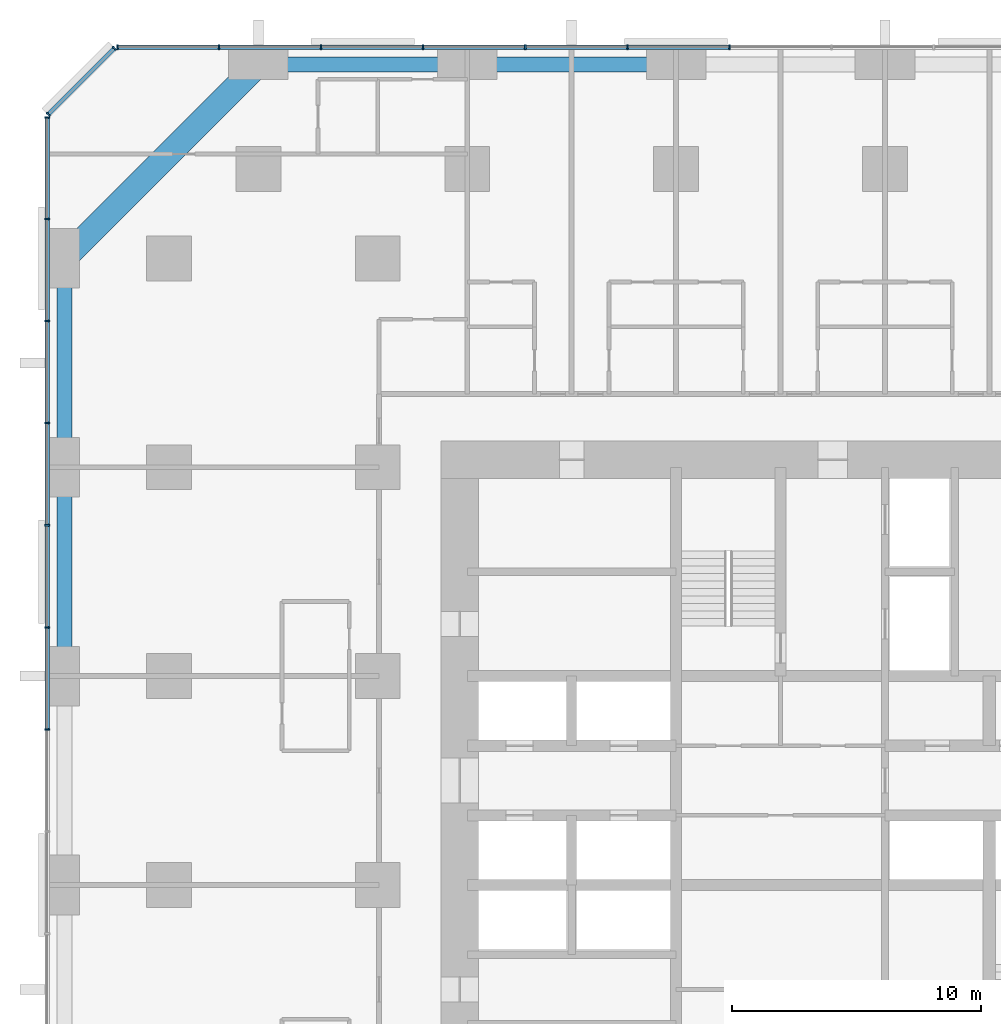
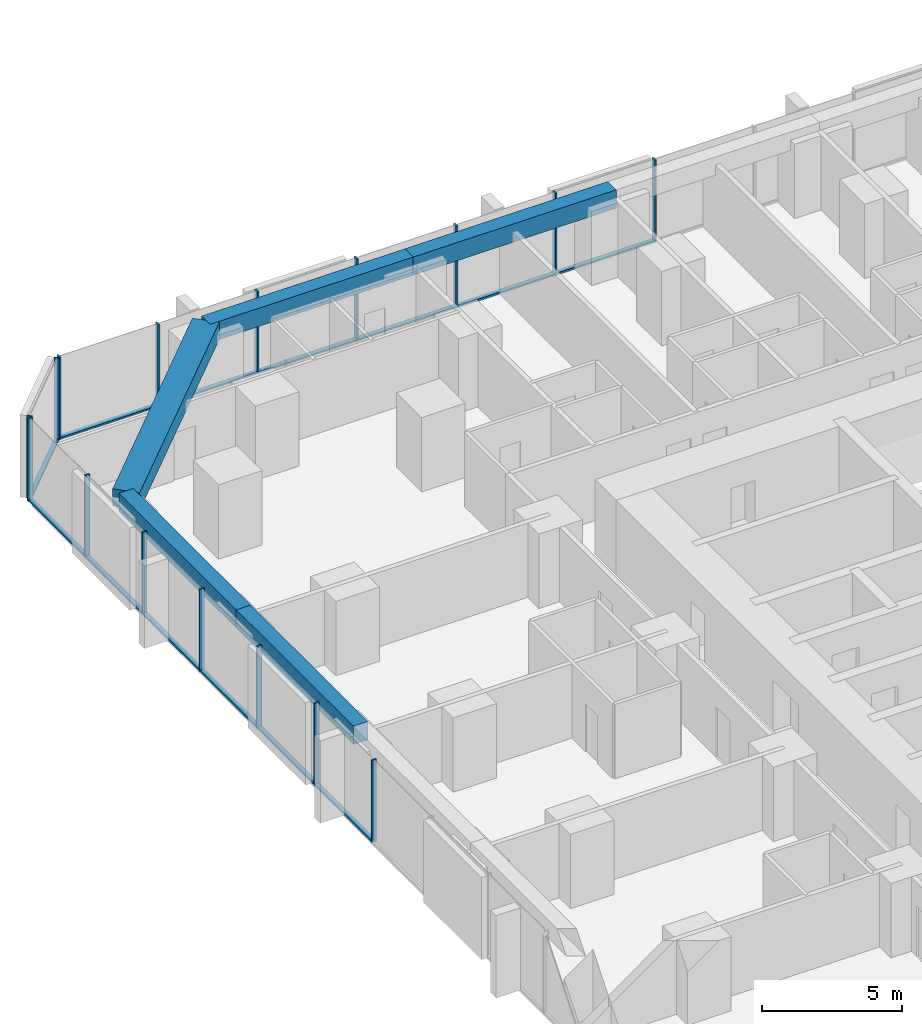
# One storey, part 6 of 17: 29 members, 5 beams, 3 elements without a shape of their own.
"""IFC4 building model written with IfcOpenShell, lengths in metres."""

from ifc_helpers import new_model, si_unit, direction, frame, origin, origin_2d, place, context, subcontext, project, spatial, rectangle, extrude, material, material_profile, profile_set, type_object, element, aggregate, save


model = new_model("IFC4")

# Units and contexts
model_context = context("Model", 3, precision=1e-05, world=origin(), true_north=direction((0.0, 1.0)))
body_context = subcontext(model_context, "Body", "Model", "MODEL_VIEW")
ifc_project = project(units=[si_unit("LENGTHUNIT", "METRE"), si_unit("AREAUNIT", "SQUARE_METRE"), si_unit("VOLUMEUNIT", "CUBIC_METRE"), si_unit("PLANEANGLEUNIT", "RADIAN"), si_unit("MASSUNIT", "GRAM", prefix="KILO")], contexts=[model_context])

# Site, building, storey
site_placement = place(None, origin())
site = spatial("IfcSite", under=ifc_project, at=site_placement, CompositionType="ELEMENT")
building_placement = place(site_placement, origin())
building = spatial("IfcBuilding", under=site, at=building_placement, Name="Dunama Terrace Hotel", CompositionType="ELEMENT")
storey_placement = place(building_placement, frame((0.0, 0.0, 66.60009765625)))
storey = spatial("IfcBuildingStorey", under=building, at=storey_placement, Name="L16", CompositionType="ELEMENT", Elevation=66.60009765625)

# Curtain wall, members
ifc_material_1 = material(Name="Aluminium curtain wall system", Category="aluminium")
curtain_wall_type = type_object("IfcCurtainWallType", Name="Unitised fritted glass wall CW-A", PredefinedType="NOTDEFINED", material=ifc_material_1)
curtain_wall_1_placement = place(storey_placement, origin())
curtain_wall_1 = element("IfcCurtainWall", 1, at=curtain_wall_1_placement, inside=storey, type_object=curtain_wall_type, Name="Unitised fritted glass wall CW-A L16", PredefinedType="NOTDEFINED")
ifc_material_2 = material(Name="Aluminium mullion", Category="aluminium")
ifc_material_profile_1 = material_profile(ifc_material_2, rectangle(XDim=0.06494140625, YDim=0.199951171875, at=origin_2d()), Name="CWA MULLION 65X200")
ifc_profile_set_1 = profile_set([ifc_material_profile_1], Name="Aluminium mullion")
member_type_1 = type_object("IfcMemberType", Name="CWA mullion 65x200", PredefinedType="MULLION", material=ifc_profile_set_1)
member_1_placement = place(storey_placement, frame((27.345947265625, 58.89990234375, 0.0), z_axis=(0.0, 0.0, 1.0), x_axis=(-1.0, 0.0, 0.0)))
member_1 = element("IfcMember", 2, at=member_1_placement, type_object=member_type_1, Name="CWA mullion", PredefinedType="MULLION", context=body_context, shape_type="SweptSolid", body=[
    extrude(rectangle(XDim=0.06494140625, YDim=0.199951171875, at=origin_2d()), origin(), (0.0, 0.0, 1.0), 3.599853515625),
])
member_2_placement = place(storey_placement, frame((23.238037109375, 58.89990234375, 0.0), z_axis=(0.0, 0.0, 1.0), x_axis=(-1.0, 0.0, 0.0)))
member_2 = element("IfcMember", 3, at=member_2_placement, type_object=member_type_1, Name="CWA mullion", PredefinedType="MULLION", context=body_context, shape_type="SweptSolid", body=[
    extrude(rectangle(XDim=0.06494140625, YDim=0.199951171875, at=origin_2d()), origin(), (0.0, 0.0, 1.0), 3.599853515625),
])
member_3_placement = place(storey_placement, frame((19.131103515625, 58.89990234375, 0.0), z_axis=(0.0, 0.0, 1.0), x_axis=(-1.0, 0.0, 0.0)))
member_3 = element("IfcMember", 4, at=member_3_placement, type_object=member_type_1, Name="CWA mullion", PredefinedType="MULLION", context=body_context, shape_type="SweptSolid", body=[
    extrude(rectangle(XDim=0.06494140625, YDim=0.199951171875, at=origin_2d()), origin(), (0.0, 0.0, 1.0), 3.599853515625),
])
member_4_placement = place(storey_placement, frame((15.02294921875, 58.89990234375, 0.0), z_axis=(0.0, 0.0, 1.0), x_axis=(-1.0, 0.0, 0.0)))
member_4 = element("IfcMember", 5, at=member_4_placement, type_object=member_type_1, Name="CWA mullion", PredefinedType="MULLION", context=body_context, shape_type="SweptSolid", body=[
    extrude(rectangle(XDim=0.06494140625, YDim=0.199951171875, at=origin_2d()), origin(), (0.0, 0.0, 1.0), 3.599853515625),
])
member_5_placement = place(storey_placement, frame((10.9150390625, 58.89990234375, 0.0), z_axis=(0.0, 0.0, 1.0), x_axis=(-1.0, 0.0, 0.0)))
member_5 = element("IfcMember", 6, at=member_5_placement, type_object=member_type_1, Name="CWA mullion", PredefinedType="MULLION", context=body_context, shape_type="SweptSolid", body=[
    extrude(rectangle(XDim=0.06494140625, YDim=0.199951171875, at=origin_2d()), origin(), (0.0, 0.0, 1.0), 3.599853515625),
])
member_6_placement = place(storey_placement, frame((6.80810546875, 58.89990234375, 0.0), z_axis=(0.0, 0.0, 1.0), x_axis=(-1.0, 0.0, 0.0)))
member_6 = element("IfcMember", 7, at=member_6_placement, type_object=member_type_1, Name="CWA mullion", PredefinedType="MULLION", context=body_context, shape_type="SweptSolid", body=[
    extrude(rectangle(XDim=0.06494140625, YDim=0.199951171875, at=origin_2d()), origin(), (0.0, 0.0, 1.0), 3.599853515625),
])
member_7_placement = place(storey_placement, frame((2.73291015625, 58.89990234375, 0.0), z_axis=(0.0, 0.0, 1.0), x_axis=(-1.0, 0.0, 0.0)))
member_7 = element("IfcMember", 8, at=member_7_placement, type_object=member_type_1, Name="CWA mullion", PredefinedType="MULLION", context=body_context, shape_type="SweptSolid", body=[
    extrude(rectangle(XDim=0.06494140625, YDim=0.199951171875, at=origin_2d()), origin(), (0.0, 0.0, 1.0), 3.599853515625),
])

curtain_wall_2_placement = place(storey_placement, origin())
curtain_wall_2 = element("IfcCurtainWall", 9, at=curtain_wall_2_placement, inside=storey, type_object=curtain_wall_type, Name="Unitised fritted glass wall CW-A L16", PredefinedType="NOTDEFINED")
member_8_placement = place(storey_placement, frame((2.60595703125, 58.847900390625, 0.0), z_axis=(0.0, 0.0, 1.0), x_axis=(-0.707106781187, -0.707106781187, 0.0)))
member_8 = element("IfcMember", 10, at=member_8_placement, type_object=member_type_1, Name="CWA mullion", PredefinedType="MULLION", context=body_context, shape_type="SweptSolid", body=[
    extrude(rectangle(XDim=0.06494140625, YDim=0.199951171875, at=origin_2d()), origin(), (0.0, 0.0, 1.0), 3.599853515625),
])
member_9_placement = place(storey_placement, frame((-0.048095703125, 56.194091796875, 0.0), z_axis=(0.0, 0.0, 1.0), x_axis=(-0.707106781187, -0.707106781187, 0.0)))
member_9 = element("IfcMember", 11, at=member_9_placement, type_object=member_type_1, Name="CWA mullion", PredefinedType="MULLION", context=body_context, shape_type="SweptSolid", body=[
    extrude(rectangle(XDim=0.06494140625, YDim=0.199951171875, at=origin_2d()), origin(), (0.0, 0.0, 1.0), 3.599853515625),
])

curtain_wall_3_placement = place(storey_placement, origin())
curtain_wall_3 = element("IfcCurtainWall", 12, at=curtain_wall_3_placement, inside=storey, type_object=curtain_wall_type, Name="Unitised fritted glass wall CW-A L16", PredefinedType="NOTDEFINED")
member_10_placement = place(storey_placement, frame((-0.10009765625, 56.06689453125, 0.0), z_axis=(0.0, 0.0, 1.0), x_axis=(0.0, -1.0, 0.0)))
member_10 = element("IfcMember", 13, at=member_10_placement, type_object=member_type_1, Name="CWA mullion", PredefinedType="MULLION", context=body_context, shape_type="SweptSolid", body=[
    extrude(rectangle(XDim=0.06494140625, YDim=0.199951171875, at=origin_2d()), origin(), (0.0, 0.0, 1.0), 3.599853515625),
])
member_11_placement = place(storey_placement, frame((-0.10009765625, 51.991943359375, 0.0), z_axis=(0.0, 0.0, 1.0), x_axis=(0.0, -1.0, 0.0)))
member_11 = element("IfcMember", 14, at=member_11_placement, type_object=member_type_1, Name="CWA mullion", PredefinedType="MULLION", context=body_context, shape_type="SweptSolid", body=[
    extrude(rectangle(XDim=0.06494140625, YDim=0.199951171875, at=origin_2d()), origin(), (0.0, 0.0, 1.0), 3.599853515625),
])
member_12_placement = place(storey_placement, frame((-0.10009765625, 47.885009765625, 0.0), z_axis=(0.0, 0.0, 1.0), x_axis=(0.0, -1.0, 0.0)))
member_12 = element("IfcMember", 15, at=member_12_placement, type_object=member_type_1, Name="CWA mullion", PredefinedType="MULLION", context=body_context, shape_type="SweptSolid", body=[
    extrude(rectangle(XDim=0.06494140625, YDim=0.199951171875, at=origin_2d()), origin(), (0.0, 0.0, 1.0), 3.599853515625),
])
member_13_placement = place(storey_placement, frame((-0.10009765625, 43.777099609375, 0.0), z_axis=(0.0, 0.0, 1.0), x_axis=(0.0, -1.0, 0.0)))
member_13 = element("IfcMember", 16, at=member_13_placement, type_object=member_type_1, Name="CWA mullion", PredefinedType="MULLION", context=body_context, shape_type="SweptSolid", body=[
    extrude(rectangle(XDim=0.06494140625, YDim=0.199951171875, at=origin_2d()), origin(), (0.0, 0.0, 1.0), 3.599853515625),
])
member_14_placement = place(storey_placement, frame((-0.10009765625, 39.6689453125, 0.0), z_axis=(0.0, 0.0, 1.0), x_axis=(0.0, -1.0, 0.0)))
member_14 = element("IfcMember", 17, at=member_14_placement, type_object=member_type_1, Name="CWA mullion", PredefinedType="MULLION", context=body_context, shape_type="SweptSolid", body=[
    extrude(rectangle(XDim=0.06494140625, YDim=0.199951171875, at=origin_2d()), origin(), (0.0, 0.0, 1.0), 3.599853515625),
])
member_15_placement = place(storey_placement, frame((-0.10009765625, 35.56201171875, 0.0), z_axis=(0.0, 0.0, 1.0), x_axis=(0.0, -1.0, 0.0)))
member_15 = element("IfcMember", 18, at=member_15_placement, type_object=member_type_1, Name="CWA mullion", PredefinedType="MULLION", context=body_context, shape_type="SweptSolid", body=[
    extrude(rectangle(XDim=0.06494140625, YDim=0.199951171875, at=origin_2d()), origin(), (0.0, 0.0, 1.0), 3.599853515625),
])
member_16_placement = place(storey_placement, frame((-0.10009765625, 31.4541015625, 0.0), z_axis=(0.0, 0.0, 1.0), x_axis=(0.0, -1.0, 0.0)))
member_16 = element("IfcMember", 19, at=member_16_placement, type_object=member_type_1, Name="CWA mullion", PredefinedType="MULLION", context=body_context, shape_type="SweptSolid", body=[
    extrude(rectangle(XDim=0.06494140625, YDim=0.199951171875, at=origin_2d()), origin(), (0.0, 0.0, 1.0), 3.599853515625),
])

# Member
ifc_material_3 = material(Name="Aluminium transom", Category="aluminium")
ifc_material_profile_2 = material_profile(ifc_material_3, rectangle(XDim=0.179931640625, YDim=0.074951171875, at=origin_2d()), Name="CWA TRANSOM 180X75")
ifc_profile_set_2 = profile_set([ifc_material_profile_2], Name="Aluminium transom")
member_type_2 = type_object("IfcMemberType", Name="CWA transom 180x75", PredefinedType="USERDEFINED", material=ifc_profile_set_2)
member_17_placement = place(storey_placement, frame((27.31396484375, 58.89990234375, 0.037353515625), z_axis=(-1.0, 0.0, 0.0), x_axis=(0.0, -1.0, 0.0)))
member_17 = element("IfcMember", 20, at=member_17_placement, type_object=member_type_2, Name="CWA transom", ObjectType="TRANSOM", PredefinedType="USERDEFINED", context=body_context, shape_type="SweptSolid", body=[
    extrude(rectangle(XDim=0.179931640625, YDim=0.074951171875, at=origin_2d()), origin(), (0.0, 0.0, 1.0), 4.04296875),
])

member_18_placement = place(storey_placement, frame((23.2060546875, 58.89990234375, 0.037353515625), z_axis=(-1.0, 0.0, 0.0), x_axis=(0.0, -1.0, 0.0)))
member_18 = element("IfcMember", 21, at=member_18_placement, type_object=member_type_2, Name="CWA transom", ObjectType="TRANSOM", PredefinedType="USERDEFINED", context=body_context, shape_type="SweptSolid", body=[
    extrude(rectangle(XDim=0.179931640625, YDim=0.074951171875, at=origin_2d()), origin(), (0.0, 0.0, 1.0), 4.04296875),
])

member_19_placement = place(storey_placement, frame((19.097900390625, 58.89990234375, 0.037353515625), z_axis=(-1.0, 0.0, 0.0), x_axis=(0.0, -1.0, 0.0)))
member_19 = element("IfcMember", 22, at=member_19_placement, type_object=member_type_2, Name="CWA transom", ObjectType="TRANSOM", PredefinedType="USERDEFINED", context=body_context, shape_type="SweptSolid", body=[
    extrude(rectangle(XDim=0.179931640625, YDim=0.074951171875, at=origin_2d()), origin(), (0.0, 0.0, 1.0), 4.0419921875),
])

member_20_placement = place(storey_placement, frame((14.990966796875, 58.89990234375, 0.037353515625), z_axis=(-1.0, 0.0, 0.0), x_axis=(0.0, -1.0, 0.0)))
member_20 = element("IfcMember", 23, at=member_20_placement, type_object=member_type_2, Name="CWA transom", ObjectType="TRANSOM", PredefinedType="USERDEFINED", context=body_context, shape_type="SweptSolid", body=[
    extrude(rectangle(XDim=0.179931640625, YDim=0.074951171875, at=origin_2d()), origin(), (0.0, 0.0, 1.0), 4.04296875),
])

member_21_placement = place(storey_placement, frame((10.883056640625, 58.89990234375, 0.037353515625), z_axis=(-1.0, 0.0, 0.0), x_axis=(0.0, -1.0, 0.0)))
member_21 = element("IfcMember", 24, at=member_21_placement, type_object=member_type_2, Name="CWA transom", ObjectType="TRANSOM", PredefinedType="USERDEFINED", context=body_context, shape_type="SweptSolid", body=[
    extrude(rectangle(XDim=0.179931640625, YDim=0.074951171875, at=origin_2d()), origin(), (0.0, 0.0, 1.0), 4.04296875),
])

member_22_placement = place(storey_placement, frame((6.77490234375, 58.89990234375, 0.037353515625), z_axis=(-1.0, 0.0, 0.0), x_axis=(0.0, -1.0, 0.0)))
member_22 = element("IfcMember", 25, at=member_22_placement, type_object=member_type_2, Name="CWA transom", ObjectType="TRANSOM", PredefinedType="USERDEFINED", context=body_context, shape_type="SweptSolid", body=[
    extrude(rectangle(XDim=0.179931640625, YDim=0.074951171875, at=origin_2d()), origin(), (0.0, 0.0, 1.0), 4.010009765625),
])

aggregate(curtain_wall_1, [member_1, member_2, member_3, member_4, member_5, member_6, member_7, member_17, member_18, member_19, member_20, member_21, member_22])

member_23_placement = place(storey_placement, frame((2.5830078125, 58.824951171875, 0.037353515625), z_axis=(-0.707106781187, -0.707106781187, 0.0), x_axis=(0.707106781187, -0.707106781187, 0.0)))
member_23 = element("IfcMember", 26, at=member_23_placement, type_object=member_type_2, Name="CWA transom", ObjectType="TRANSOM", PredefinedType="USERDEFINED", context=body_context, shape_type="SweptSolid", body=[
    extrude(rectangle(XDim=0.179931640625, YDim=0.074951171875, at=origin_2d()), origin(), (0.0, 0.0, 1.0), 3.688232421875),
])

aggregate(curtain_wall_2, [member_8, member_9, member_23])

member_24_placement = place(storey_placement, frame((-0.10009765625, 56.034912109375, 0.037353515625), z_axis=(0.0, -1.0, 0.0), x_axis=(1.0, 0.0, 0.0)))
member_24 = element("IfcMember", 27, at=member_24_placement, type_object=member_type_2, Name="CWA transom", ObjectType="TRANSOM", PredefinedType="USERDEFINED", context=body_context, shape_type="SweptSolid", body=[
    extrude(rectangle(XDim=0.179931640625, YDim=0.074951171875, at=origin_2d()), origin(), (0.0, 0.0, 1.0), 4.010009765625),
])

member_25_placement = place(storey_placement, frame((-0.10009765625, 51.9599609375, 0.037353515625), z_axis=(0.0, -1.0, 0.0), x_axis=(1.0, 0.0, 0.0)))
member_25 = element("IfcMember", 28, at=member_25_placement, type_object=member_type_2, Name="CWA transom", ObjectType="TRANSOM", PredefinedType="USERDEFINED", context=body_context, shape_type="SweptSolid", body=[
    extrude(rectangle(XDim=0.179931640625, YDim=0.074951171875, at=origin_2d()), origin(), (0.0, 0.0, 1.0), 4.04296875),
])

member_26_placement = place(storey_placement, frame((-0.10009765625, 47.85205078125, 0.037353515625), z_axis=(0.0, -1.0, 0.0), x_axis=(1.0, 0.0, 0.0)))
member_26 = element("IfcMember", 29, at=member_26_placement, type_object=member_type_2, Name="CWA transom", ObjectType="TRANSOM", PredefinedType="USERDEFINED", context=body_context, shape_type="SweptSolid", body=[
    extrude(rectangle(XDim=0.179931640625, YDim=0.074951171875, at=origin_2d()), origin(), (0.0, 0.0, 1.0), 4.04296875),
])

member_27_placement = place(storey_placement, frame((-0.10009765625, 43.743896484375, 0.037353515625), z_axis=(0.0, -1.0, 0.0), x_axis=(1.0, 0.0, 0.0)))
member_27 = element("IfcMember", 30, at=member_27_placement, type_object=member_type_2, Name="CWA transom", ObjectType="TRANSOM", PredefinedType="USERDEFINED", context=body_context, shape_type="SweptSolid", body=[
    extrude(rectangle(XDim=0.179931640625, YDim=0.074951171875, at=origin_2d()), origin(), (0.0, 0.0, 1.0), 4.0419921875),
])

member_28_placement = place(storey_placement, frame((-0.10009765625, 39.636962890625, 0.037353515625), z_axis=(0.0, -1.0, 0.0), x_axis=(1.0, 0.0, 0.0)))
member_28 = element("IfcMember", 31, at=member_28_placement, type_object=member_type_2, Name="CWA transom", ObjectType="TRANSOM", PredefinedType="USERDEFINED", context=body_context, shape_type="SweptSolid", body=[
    extrude(rectangle(XDim=0.179931640625, YDim=0.074951171875, at=origin_2d()), origin(), (0.0, 0.0, 1.0), 4.04296875),
])

member_29_placement = place(storey_placement, frame((-0.10009765625, 35.529052734375, 0.037353515625), z_axis=(0.0, -1.0, 0.0), x_axis=(1.0, 0.0, 0.0)))
member_29 = element("IfcMember", 32, at=member_29_placement, type_object=member_type_2, Name="CWA transom", ObjectType="TRANSOM", PredefinedType="USERDEFINED", context=body_context, shape_type="SweptSolid", body=[
    extrude(rectangle(XDim=0.179931640625, YDim=0.074951171875, at=origin_2d()), origin(), (0.0, 0.0, 1.0), 4.04296875),
])

aggregate(curtain_wall_3, [member_10, member_11, member_12, member_13, member_14, member_15, member_16, member_24, member_25, member_26, member_27, member_28, member_29])

# Beams
ifc_material_4 = material(Name="Concrete C50/60", Category="concrete")
ifc_material_profile_3 = material_profile(ifc_material_4, rectangle(XDim=1.0, YDim=0.75, at=origin_2d()), Name="RC 1000x750")
ifc_profile_set_3 = profile_set([ifc_material_profile_3], Name="Concrete C50/60")
beam_type_1 = type_object("IfcBeamType", Name="Edge beam RC 1000x750", PredefinedType="SPANDREL", material=ifc_profile_set_3)
beam_1_placement = place(storey_placement, frame((8.39990234375, 58.199951171875, 3.224853515625), z_axis=(-0.707095714747, -0.707117847453, 0.0), x_axis=(0.707117847453, -0.707095714747, 0.0)))
element("IfcBeam", 33, at=beam_1_placement, inside=storey, type_object=beam_type_1, Name="Corner edge beam under L17", PredefinedType="SPANDREL", context=body_context, shape_type="SweptSolid", body=[
    extrude(rectangle(XDim=1.0, YDim=0.75, at=origin_2d()), origin(), (0.0, 0.0, 1.0), 11.03076171875),
])
ifc_material_5 = material(Name="Concrete C40/50", Category="concrete")
ifc_material_profile_4 = material_profile(ifc_material_5, rectangle(XDim=0.60009765625, YDim=0.800048828125, at=origin_2d()), Name="RC 600x800")
ifc_profile_set_4 = profile_set([ifc_material_profile_4], Name="Concrete C40/50")
beam_type_2 = type_object("IfcBeamType", Name="Edge beam RC 600x800", PredefinedType="SPANDREL", material=ifc_profile_set_4)
for number, where, z_axis, x_axis, name in (
    (34, (0.60009765625, 33.60009765625, 3.199951171875), (0.0, 1.0, 0.0), (-1.0, 0.0, 0.0), "Edge beam under L17"),
    (35, (0.60009765625, 42.0, 3.199951171875), (0.0, 1.0, 0.0), (-1.0, 0.0, 0.0), "Edge beam under L17"),
):
    element("IfcBeam", number, at=place(storey_placement, frame(where, z_axis=z_axis, x_axis=x_axis)), inside=storey, type_object=beam_type_2, Name=name, PredefinedType="SPANDREL", context=body_context, shape_type="SweptSolid", body=[
        extrude(rectangle(XDim=0.60009765625, YDim=0.800048828125, at=origin_2d()), origin(), (0.0, 0.0, 1.0), 8.39990234375),
    ])
beam_2_placement = place(storey_placement, frame((8.39990234375, 58.199951171875, 3.199951171875), z_axis=(1.0, 0.0, 0.0), x_axis=(0.0, 1.0, 0.0)))
element("IfcBeam", 36, at=beam_2_placement, inside=storey, type_object=beam_type_2, Name="Edge beam under L17", PredefinedType="SPANDREL", context=body_context, shape_type="SweptSolid", body=[
    extrude(rectangle(XDim=0.60009765625, YDim=0.800048828125, at=origin_2d()), origin(), (0.0, 0.0, 1.0), 8.400146484375),
])
beam_3_placement = place(storey_placement, frame((16.800048828125, 58.199951171875, 3.199951171875), z_axis=(1.0, 0.0, 0.0), x_axis=(0.0, 1.0, 0.0)))
element("IfcBeam", 37, at=beam_3_placement, inside=storey, type_object=beam_type_2, Name="Edge beam under L17", PredefinedType="SPANDREL", context=body_context, shape_type="SweptSolid", body=[
    extrude(rectangle(XDim=0.60009765625, YDim=0.800048828125, at=origin_2d()), origin(), (0.0, 0.0, 1.0), 8.39990234375),
])

save(model, "model.ifc")
